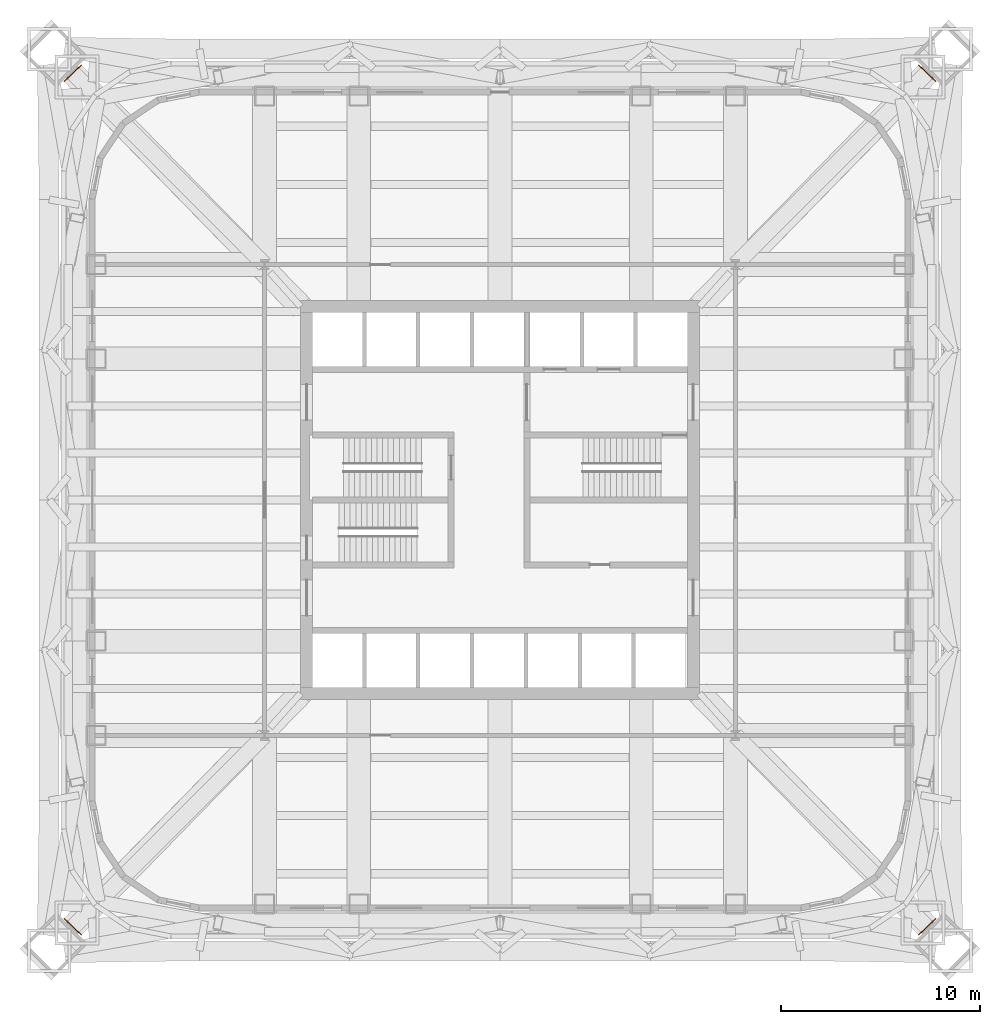
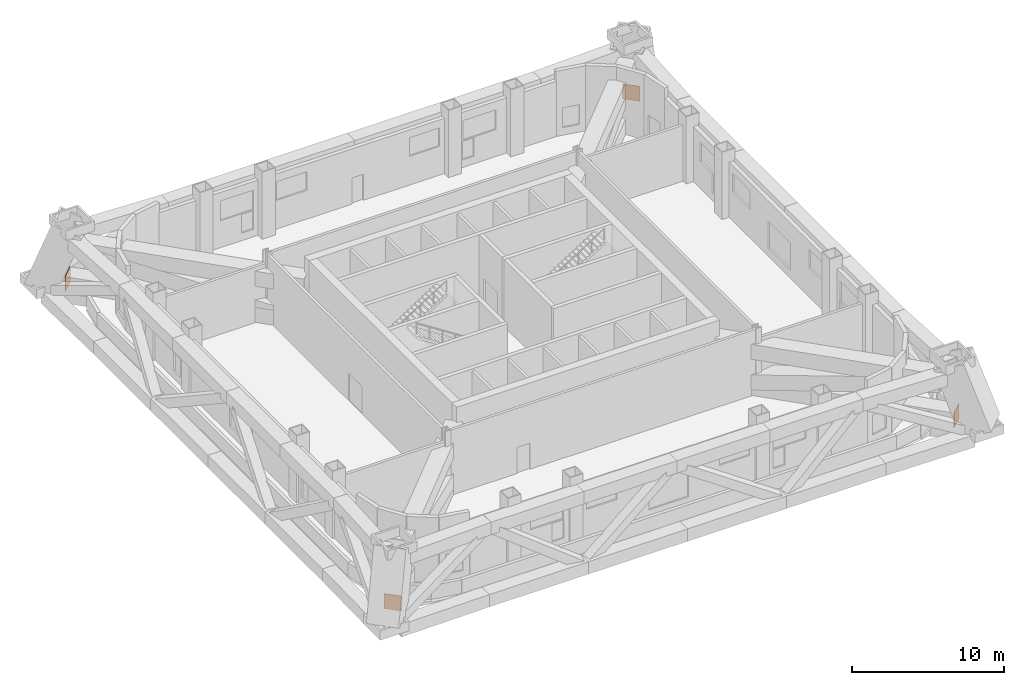
# One storey, part 9 of 9: 4 proxies.
"""IFC4 building model written with IfcOpenShell, lengths in metres."""

from ifc_helpers import new_model, si_unit, direction, frame, origin, origin_2d, place, context, subcontext, project, spatial, rectangle, extrude, material, layer, layer_set, type_object, element, save


model = new_model("IFC4")

# Units and contexts
model_context = context("Model", 3, precision=1e-05, world=origin(), true_north=direction((0.0, 1.0)))
body_context = subcontext(model_context, "Body", "Model", "MODEL_VIEW")
ifc_project = project(units=[si_unit("LENGTHUNIT", "METRE"), si_unit("AREAUNIT", "SQUARE_METRE"), si_unit("VOLUMEUNIT", "CUBIC_METRE"), si_unit("PLANEANGLEUNIT", "RADIAN"), si_unit("MASSUNIT", "GRAM", prefix="KILO")], contexts=[model_context])

# Site, building, storey
site_placement = place(None, origin())
site = spatial("IfcSite", under=ifc_project, at=site_placement, CompositionType="ELEMENT")
building_placement = place(site_placement, origin())
building = spatial("IfcBuilding", under=site, at=building_placement, Name="Turquesa Mirador Hotel Tower", CompositionType="ELEMENT")
storey_placement = place(building_placement, frame((0.0, 0.0, 88.0)))
storey = spatial("IfcBuildingStorey", under=building, at=storey_placement, Name="L23", CompositionType="ELEMENT", Elevation=88.0)

# Proxies
ifc_material = material(Name="Steel ASTM A572 Grade 50", Category="steel")
ifc_layer = layer(ifc_material, 0.0400390625)
ifc_layer_set = layer_set([ifc_layer], Name="END PLATE ON OUTRIGGER CHORD 1200X1200X40")
building_element_proxy_type = type_object("IfcBuildingElementProxyType", Name="END PLATE ON OUTRIGGER CHORD 1200X1200X40", PredefinedType="USERDEFINED", material=ifc_layer_set)
for number, where, z_axis, x_axis, name in (
    (1, (76.420166015625, 66.395751953125, 0.0498046875), (0.0, 0.0, 1.0), (0.698626805789, 0.715486258591, 0.0), "Outrigger bottom chord 1 end plate"),
    (2, (33.579833984375, 66.395751953125, 0.0498046875), (0.0, 0.0, 1.0), (-0.698626805789, 0.715486258591, 0.0), "Outrigger bottom chord 2 end plate"),
    (3, (33.579833984375, 23.604248046875, 0.0498046875), (0.0, 0.0, 1.0), (-0.698626805789, -0.715486258591, 0.0), "Outrigger bottom chord 3 end plate"),
    (4, (76.420166015625, 23.604248046875, 0.0498046875), (0.0, 0.0, 1.0), (0.698626805789, -0.715486258591, 0.0), "Outrigger bottom chord 4 end plate"),
):
    element("IfcBuildingElementProxy", number, at=place(storey_placement, frame(where, z_axis=z_axis, x_axis=x_axis)), inside=storey, type_object=building_element_proxy_type, Name=name, ObjectType="END PLATE", PredefinedType="USERDEFINED", context=body_context, shape_type="SweptSolid", body=[
        extrude(rectangle(XDim=0.0400390625, YDim=1.199951171875, at=origin_2d()), origin(), (0.0, 0.0, 1.0), 1.199951171875),
    ])

save(model, "model.ifc")
